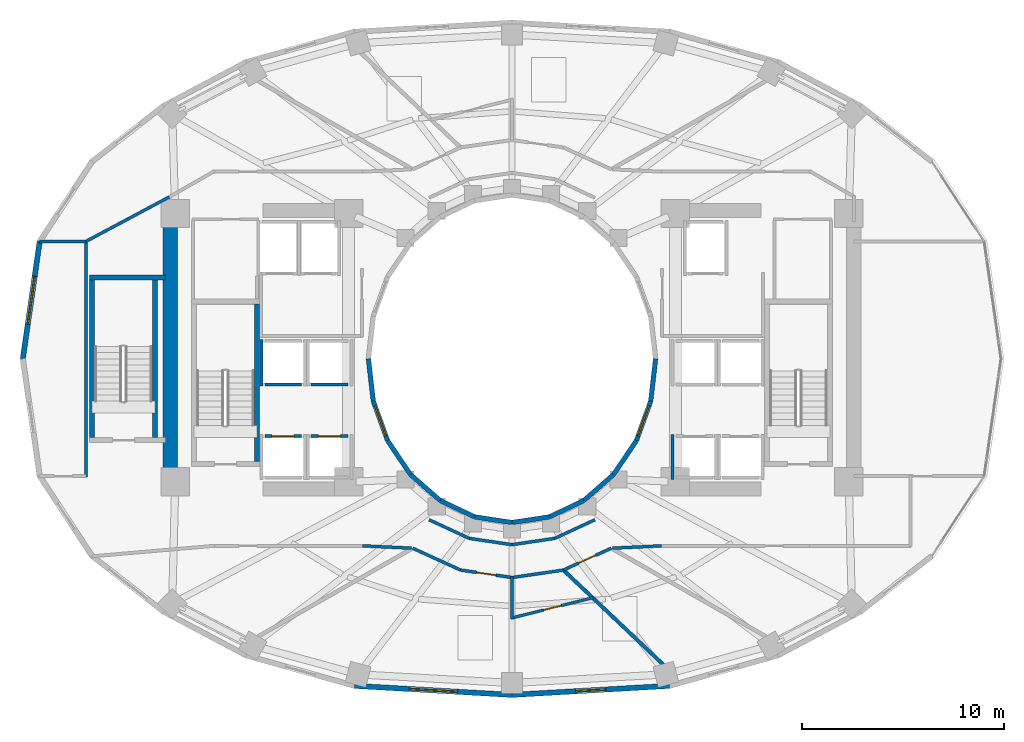
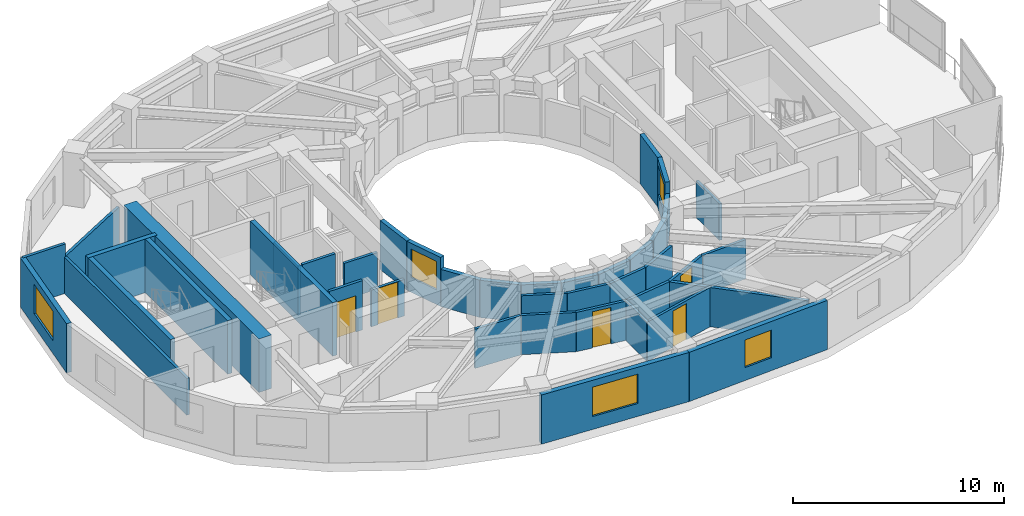
# One storey, part 7 of 13: 42 walls, 5 doors, 5 windows, 10 openings.
"""IFC4 building model written with IfcOpenShell, lengths in metres."""

from ifc_helpers import new_model, si_unit, direction, frame, frame_2d, origin, place, context, subcontext, project, spatial, rectangle, extrude, material, layer, layer_set, type_object, element, fill, save


model = new_model("IFC4")

# Units and contexts
model_context = context("Model", 3, precision=1e-05, world=origin(), true_north=direction((0.0, 1.0)))
body_context = subcontext(model_context, "Body", "Model", "MODEL_VIEW")
ifc_project = project(units=[si_unit("LENGTHUNIT", "METRE"), si_unit("AREAUNIT", "SQUARE_METRE"), si_unit("VOLUMEUNIT", "CUBIC_METRE"), si_unit("PLANEANGLEUNIT", "RADIAN"), si_unit("MASSUNIT", "GRAM", prefix="KILO")], contexts=[model_context])

# Site, building, storey
site_placement = place(None, origin())
site = spatial("IfcSite", under=ifc_project, at=site_placement, CompositionType="ELEMENT")
building_placement = place(site_placement, origin())
building = spatial("IfcBuilding", under=site, at=building_placement, Name="Solvane Sanctuary Tower", CompositionType="ELEMENT")
storey_placement = place(building_placement, frame((0.0, 0.0, 85.60009765625)))
storey = spatial("IfcBuildingStorey", under=building, at=storey_placement, Name="L25", CompositionType="ELEMENT", Elevation=85.60009765625)

# Walls
ifc_material_1 = material(Name="Concrete C60/75", Category="concrete")
ifc_layer_1 = layer(ifc_material_1, 0.699951171875, Name="Concrete C60/75")
ifc_layer_set_1 = layer_set([ifc_layer_1], Name="Concrete C60/75")
wall_type_1 = type_object("IfcWallType", Name="Wall W-CORE-700", PredefinedType="SHEAR", material=ifc_layer_set_1)
wall_1_placement = place(storey_placement, frame((15.050048828125, 17.050048828125, 0.0), z_axis=(0.0, 0.0, 1.0), x_axis=(0.0, 1.0, 0.0)))
element("IfcWall", 1, at=wall_1_placement, inside=storey, type_object=wall_type_1, Name="L25 Core Shear Wall WC-W", PredefinedType="SHEAR", context=body_context, shape_type="SweptSolid", body=[
    extrude(rectangle(XDim=12.800048828125, YDim=0.699951171875, at=frame_2d((6.39990234375, 0.0))), origin(), (0.0, 0.0, 1.0), 3.099853515625),
])
ifc_material_2 = material(Name="Acoustic Gypsum Partition Board")
ifc_layer_2 = layer(ifc_material_2, 0.14990234375, Name="Acoustic Gypsum Partition Board")
ifc_layer_set_2 = layer_set([ifc_layer_2], Name="Acoustic Gypsum Partition Board")
wall_type_2 = type_object("IfcWallType", Name="Wall W-CORR-150", PredefinedType="PARTITIONING", material=ifc_layer_set_2)
wall_2_placement = place(storey_placement, frame((27.889892578125, 15.01513671875, 0.0), z_axis=(0.0, 0.0, 1.0), x_axis=(0.906943449489, -0.421252393975, 0.0)))
element("IfcWall", 2, at=wall_2_placement, inside=storey, type_object=wall_type_2, Name="L25 Light-Well Corridor Rim Wall S1", PredefinedType="PARTITIONING", context=body_context, shape_type="SweptSolid", body=[
    extrude(rectangle(XDim=2.18603515625, YDim=0.14990234375, at=frame_2d((1.093017578125, 0.0))), origin(), (0.0, 0.0, 1.0), 2.27197265625),
])
for number, where, z_axis, x_axis, name in (
    (3, (29.87255859375, 14.09423828125, 0.0), (0.0, 0.0, 1.0), (0.989268584896, -0.146108408166, 0.0), "L25 Light-Well Corridor Rim Wall S2"),
    (4, (32.0, 13.780029296875, 0.0), (0.0, 0.0, 1.0), (0.989268584896, 0.146108408166, 0.0), "L25 Light-Well Corridor Rim Wall S3"),
):
    element("IfcWall", number, at=place(storey_placement, frame(where, z_axis=z_axis, x_axis=x_axis)), inside=storey, type_object=wall_type_2, Name=name, PredefinedType="PARTITIONING", context=body_context, shape_type="SweptSolid", body=[
        extrude(rectangle(XDim=2.150634765625, YDim=0.14990234375, at=frame_2d((1.0751953125, 0.0))), origin(), (0.0, 0.0, 1.0), 2.27197265625),
    ])
wall_3_placement = place(storey_placement, frame((34.12744140625, 14.09423828125, 0.0), z_axis=(0.0, 0.0, 1.0), x_axis=(0.906943449489, 0.421252393975, 0.0)))
element("IfcWall", 5, at=wall_3_placement, inside=storey, type_object=wall_type_2, Name="L25 Light-Well Corridor Rim Wall S4", PredefinedType="PARTITIONING", context=body_context, shape_type="SweptSolid", body=[
    extrude(rectangle(XDim=2.18603515625, YDim=0.14990234375, at=frame_2d((1.093017578125, 0.0))), origin(), (0.0, 0.0, 1.0), 2.27197265625),
])
wall_4_placement = place(storey_placement, frame((10.8798828125, 17.134765625, 0.0), z_axis=(0.0, 0.0, 1.0), x_axis=(0.0, 1.0, 0.0)))
element("IfcWall", 6, at=wall_4_placement, inside=storey, type_object=wall_type_2, Name="L25 West Shoulder Back Wall", PredefinedType="PARTITIONING", context=body_context, shape_type="SweptSolid", body=[
    extrude(rectangle(XDim=11.73046875, YDim=0.14990234375, at=frame_2d((5.865234375, 0.0))), origin(), (0.0, 0.0, 1.0), 2.119873046875),
])
wall_5_placement = place(storey_placement, frame((8.558349609375, 28.8251953125, 0.0), z_axis=(0.0, 0.0, 1.0), x_axis=(1.0, 0.0, 0.0)))
element("IfcWall", 7, at=wall_5_placement, inside=storey, type_object=wall_type_2, Name="L25 West Shoulder North Wall", PredefinedType="PARTITIONING", context=body_context, shape_type="SweptSolid", body=[
    extrude(rectangle(XDim=2.321533203125, YDim=0.14990234375, at=frame_2d((1.16064453125, 0.0))), origin(), (0.0, 0.0, 1.0), 2.85498046875),
])
wall_6_placement = place(storey_placement, frame((10.8447265625, 28.806396484375, 0.0), z_axis=(0.0, 0.0, 1.0), x_axis=(0.88227840565, 0.470727962759, 0.0)))
element("IfcWall", 8, at=wall_6_placement, inside=storey, type_object=wall_type_2, Name="L25 NW Corner Closer 1", PredefinedType="PARTITIONING", context=body_context, shape_type="SweptSolid", body=[
    extrude(rectangle(XDim=4.806396484375, YDim=0.14990234375, at=frame_2d((2.4033203125, 0.0))), origin(), (0.0, 0.0, 1.0), 2.141845703125),
])
for number, where, z_axis, x_axis, name in (
    (9, (27.02001953125, 13.606201171875, 0.0), (0.0, 0.0, 1.0), (-0.998877427952, 0.047369651964, 0.0), "L25 SW Corner Throat Wall"),
    (10, (36.97998046875, 13.606201171875, 0.0), (0.0, 0.0, 1.0), (0.998877427952, 0.047369651964, 0.0), "L25 SE Corner Throat Wall"),
):
    element("IfcWall", number, at=place(storey_placement, frame(where, z_axis=z_axis, x_axis=x_axis)), inside=storey, type_object=wall_type_2, Name=name, PredefinedType="PARTITIONING", context=body_context, shape_type="SweptSolid", body=[
        extrude(rectangle(XDim=2.4326171875, YDim=0.14990234375, at=frame_2d((1.21630859375, 0.0))), origin(), (0.0, 0.0, 1.0), 2.27197265625),
    ])
wall_7_placement = place(storey_placement, frame((31.950439453125, 12.142822265625, 0.0), z_axis=(0.0, 0.0, 1.0), x_axis=(0.989649898776, 0.143502884474, 0.0)))
element("IfcWall", 11, at=wall_7_placement, inside=storey, type_object=wall_type_2, Name="L25 En-suite Inner Wall S1", PredefinedType="PARTITIONING", context=body_context, shape_type="SweptSolid", body=[
    extrude(rectangle(XDim=2.676025390625, YDim=0.14990234375, at=frame_2d((1.337890625, 0.0))), origin(), (0.0, 0.0, 1.0), 2.27197265625),
])
wall_8_placement = place(storey_placement, frame((27.069091796875, 13.607421875, 0.0), z_axis=(0.0, 0.0, 1.0), x_axis=(0.909747571199, -0.415161843982, 0.0)))
element("IfcWall", 12, at=wall_8_placement, inside=storey, type_object=wall_type_2, Name="L25 Unit Corridor Wall S1", PredefinedType="PARTITIONING", context=body_context, shape_type="SweptSolid", body=[
    extrude(rectangle(XDim=2.625, YDim=0.14990234375, at=frame_2d((1.3125, 0.0))), origin(), (0.0, 0.0, 1.0), 2.27197265625),
])

# Wall, opening, door
wall_9_placement = place(storey_placement, frame((29.444091796875, 12.521728515625, 0.0), z_axis=(0.0, 0.0, 1.0), x_axis=(0.989637894688, -0.143585644814, 0.0)))
wall_9 = element("IfcWall", 13, at=wall_9_placement, inside=storey, type_object=wall_type_2, Name="L25 Unit Corridor Wall S1", PredefinedType="PARTITIONING", context=body_context, shape_type="SweptSolid", body=[
    extrude(rectangle(XDim=2.589599609375, YDim=0.14990234375, at=frame_2d((1.294921875, 0.0))), origin(), (0.0, 0.0, 1.0), 2.27197265625),
])
opening_1_placement = place(wall_9_placement, frame((0.81982421875, 0.0, 0.0)))
opening_1 = element("IfcOpeningElement", 14, at=opening_1_placement, cuts=wall_9, Name="Opening D-L25-18", PredefinedType="OPENING", context=body_context, shape_type="SweptSolid", body=[
    extrude(rectangle(XDim=0.949951171875, YDim=2.10009765625, at=frame_2d((0.47509765625, 1.050048828125))), frame((0.0, 0.0849609375, 0.0), z_axis=(0.0, -1.0, 0.0), x_axis=(1.0, 0.0, 0.0)), (0.0, 0.0, 1.0), 0.169921875),
])
ifc_material_3 = material(Name="Engineered Tropical Hardwood", Category="wood")
door_type_1 = type_object("IfcDoorType", Name="Door D-ROOM-950", OperationType="NOTDEFINED", PredefinedType="DOOR", material=ifc_material_3)
door_1_placement = place(opening_1_placement, origin())
door_1 = element("IfcDoor", 15, at=door_1_placement, inside=storey, type_object=door_type_1, Name="L25 Unit Entrance Door S1", OperationType="SINGLE_SWING_LEFT", OverallHeight=2.10009765625, OverallWidth=0.949951171875, PredefinedType="DOOR", context=body_context, shape_type="SweptSolid", body=[
    extrude(rectangle(XDim=0.949951171875, YDim=2.10009765625, at=frame_2d((0.47509765625, 1.050048828125))), frame((0.0, 0.02490234375, 0.0), z_axis=(0.0, -1.0, 0.0), x_axis=(1.0, 0.0, 0.0)), (0.0, 0.0, 1.0), 0.050048828125),
])
fill(opening_1, door_1)

wall_10_placement = place(storey_placement, frame((34.542724609375, 12.517578125, 0.0), z_axis=(0.0, 0.0, 1.0), x_axis=(0.909747571199, 0.415161843982, 0.0)))
wall_10 = element("IfcWall", 16, at=wall_10_placement, inside=storey, type_object=wall_type_2, Name="L25 Unit Corridor Wall S2", PredefinedType="PARTITIONING", context=body_context, shape_type="SweptSolid", body=[
    extrude(rectangle(XDim=2.625, YDim=0.14990234375, at=frame_2d((1.3125, 0.0))), origin(), (0.0, 0.0, 1.0), 2.27197265625),
])
opening_2_placement = place(wall_10_placement, frame((0.837646484375, 0.0, 0.0)))
opening_2 = element("IfcOpeningElement", 17, at=opening_2_placement, cuts=wall_10, Name="Opening D-L25-19", PredefinedType="OPENING", context=body_context, shape_type="SweptSolid", body=[
    extrude(rectangle(XDim=0.949951171875, YDim=2.10009765625, at=frame_2d((0.47509765625, 1.050048828125))), frame((0.0, 0.0849609375, 0.0), z_axis=(0.0, -1.0, 0.0), x_axis=(1.0, 0.0, 0.0)), (0.0, 0.0, 1.0), 0.169921875),
])
door_2_placement = place(opening_2_placement, origin())
door_2 = element("IfcDoor", 18, at=door_2_placement, inside=storey, type_object=door_type_1, Name="L25 Unit Entrance Door S2", OperationType="SINGLE_SWING_RIGHT", OverallHeight=2.10009765625, OverallWidth=0.949951171875, PredefinedType="DOOR", context=body_context, shape_type="SweptSolid", body=[
    extrude(rectangle(XDim=0.949951171875, YDim=2.10009765625, at=frame_2d((0.47509765625, 1.050048828125))), frame((0.0, 0.02490234375, 0.0), z_axis=(0.0, -1.0, 0.0), x_axis=(1.0, 0.0, 0.0)), (0.0, 0.0, 1.0), 0.050048828125),
])
fill(opening_2, door_2)

# Wall, opening, window
ifc_material_4 = material(Name="Precast concrete C40/50", Category="concrete")
ifc_layer_3 = layer(ifc_material_4, 0.260009765625, Name="Precast concrete C40/50")
ifc_layer_set_3 = layer_set([ifc_layer_3], Name="Precast concrete C40/50")
wall_type_3 = type_object("IfcWallType", Name="Wall W-EXT-250", PredefinedType="STANDARD", material=ifc_layer_set_3)
wall_11_placement = place(storey_placement, frame((8.578125, 28.818603515625, 0.0), z_axis=(0.0, 0.0, 1.0), x_axis=(-0.142572472068, -0.98978436551, 0.0)))
wall_11 = element("IfcWall", 19, at=wall_11_placement, inside=storey, type_object=wall_type_3, Name="L25 Ceramic-Printed Facade Wall 11", PredefinedType="STANDARD", context=body_context, shape_type="SweptSolid", body=[
    extrude(rectangle(XDim=5.878662109375, YDim=0.260009765625, at=frame_2d((2.939453125, 0.0))), origin(), (0.0, 0.0, 1.0), 2.849853515625),
])
opening_3_placement = place(wall_11_placement, frame((1.739501953125, 0.0, 0.75)))
opening_3 = element("IfcOpeningElement", 20, at=opening_3_placement, cuts=wall_11, Name="Opening WN-RIB-2400", PredefinedType="OPENING", context=body_context, shape_type="SweptSolid", body=[
    extrude(rectangle(XDim=2.39990234375, YDim=1.699951171875, at=frame_2d((1.199951171875, 0.85009765625))), frame((0.0, 0.139892578125, 0.0), z_axis=(0.0, -1.0, 0.0), x_axis=(1.0, 0.0, 0.0)), (0.0, 0.0, 1.0), 0.280029296875),
])
ifc_material_5 = material(Name="Dark Ceramic-Fritted Low-E Glass", Category="glass")
window_type_1 = type_object("IfcWindowType", Name="Window WN-RIB-2400", PartitioningType="SINGLE_PANEL", PredefinedType="WINDOW", material=ifc_material_5)
window_1_placement = place(opening_3_placement, origin())
window_1 = element("IfcWindow", 21, at=window_1_placement, inside=storey, type_object=window_type_1, Name="L25 Operable Facade Window 11", OverallHeight=1.699951171875, OverallWidth=2.39990234375, PartitioningType="SINGLE_PANEL", PredefinedType="WINDOW", context=body_context, shape_type="SweptSolid", body=[
    extrude(rectangle(XDim=2.39990234375, YDim=1.699951171875, at=frame_2d((1.199951171875, 0.85009765625))), frame((0.0, 0.030029296875, 0.0), z_axis=(0.0, -1.0, 0.0), x_axis=(1.0, 0.0, 0.0)), (0.0, 0.0, 1.0), 0.06005859375),
])
fill(opening_3, window_1)

wall_12_placement = place(storey_placement, frame((24.18359375, 6.7783203125, 0.0), z_axis=(0.0, 0.0, 1.0), x_axis=(0.998352606703, -0.057376586592, 0.0)))
wall_12 = element("IfcWall", 22, at=wall_12_placement, inside=storey, type_object=wall_type_3, Name="L25 Ceramic-Printed Facade Wall 17", PredefinedType="STANDARD", context=body_context, shape_type="SweptSolid", body=[
    extrude(rectangle(XDim=7.829345703125, YDim=0.260009765625, at=frame_2d((3.91455078125, 0.0))), origin(), (0.0, 0.0, 1.0), 2.849853515625),
])
opening_4_placement = place(wall_12_placement, frame((2.714599609375, 0.0, 0.75)))
opening_4 = element("IfcOpeningElement", 23, at=opening_4_placement, cuts=wall_12, Name="Opening WN-RIB-2400", PredefinedType="OPENING", context=body_context, shape_type="SweptSolid", body=[
    extrude(rectangle(XDim=2.39990234375, YDim=1.699951171875, at=frame_2d((1.199951171875, 0.85009765625))), frame((0.0, 0.139892578125, 0.0), z_axis=(0.0, -1.0, 0.0), x_axis=(1.0, 0.0, 0.0)), (0.0, 0.0, 1.0), 0.280029296875),
])
window_2_placement = place(opening_4_placement, origin())
window_2 = element("IfcWindow", 24, at=window_2_placement, inside=storey, type_object=window_type_1, Name="L25 Operable Facade Window 17", OverallHeight=1.699951171875, OverallWidth=2.39990234375, PartitioningType="SINGLE_PANEL", PredefinedType="WINDOW", context=body_context, shape_type="SweptSolid", body=[
    extrude(rectangle(XDim=2.39990234375, YDim=1.699951171875, at=frame_2d((1.199951171875, 0.85009765625))), frame((0.0, 0.030029296875, 0.0), z_axis=(0.0, -1.0, 0.0), x_axis=(1.0, 0.0, 0.0)), (0.0, 0.0, 1.0), 0.06005859375),
])
fill(opening_4, window_2)

wall_13_placement = place(storey_placement, frame((32.0, 6.3291015625, 0.0), z_axis=(0.0, 0.0, 1.0), x_axis=(0.998352606703, 0.057376586592, 0.0)))
wall_13 = element("IfcWall", 25, at=wall_13_placement, inside=storey, type_object=wall_type_3, Name="L25 Ceramic-Printed Facade Wall 18", PredefinedType="STANDARD", context=body_context, shape_type="SweptSolid", body=[
    extrude(rectangle(XDim=7.829345703125, YDim=0.260009765625, at=frame_2d((3.91455078125, 0.0))), origin(), (0.0, 0.0, 1.0), 2.849853515625),
])
opening_5_placement = place(wall_13_placement, frame((3.16455078125, 0.0, 0.75)))
opening_5 = element("IfcOpeningElement", 26, at=opening_5_placement, cuts=wall_13, Name="Opening WN-OPER-1500", PredefinedType="OPENING", context=body_context, shape_type="SweptSolid", body=[
    extrude(rectangle(XDim=1.5, YDim=1.60009765625, at=frame_2d((0.75, 0.800048828125))), frame((0.0, 0.139892578125, 0.0), z_axis=(0.0, -1.0, 0.0), x_axis=(1.0, 0.0, 0.0)), (0.0, 0.0, 1.0), 0.280029296875),
])
window_type_2 = type_object("IfcWindowType", Name="Window WN-OPER-1500", PartitioningType="SINGLE_PANEL", PredefinedType="WINDOW", material=ifc_material_5)
window_3_placement = place(opening_5_placement, origin())
window_3 = element("IfcWindow", 27, at=window_3_placement, inside=storey, type_object=window_type_2, Name="L25 Operable Facade Window 18", OverallHeight=1.60009765625, OverallWidth=1.5, PartitioningType="SINGLE_PANEL", PredefinedType="WINDOW", context=body_context, shape_type="SweptSolid", body=[
    extrude(rectangle(XDim=1.5, YDim=1.60009765625, at=frame_2d((0.75, 0.800048828125))), frame((0.0, 0.030029296875, 0.0), z_axis=(0.0, -1.0, 0.0), x_axis=(1.0, 0.0, 0.0)), (0.0, 0.0, 1.0), 0.06005859375),
])
fill(opening_5, window_3)

# Wall
ifc_layer_4 = layer(ifc_material_4, 0.22998046875, Name="Precast concrete C40/50")
ifc_layer_set_4 = layer_set([ifc_layer_4], Name="Precast concrete C40/50")
wall_type_4 = type_object("IfcWallType", Name="Wall W-EXT-SP220", PredefinedType="STANDARD", material=ifc_layer_set_4)
wall_14_placement = place(storey_placement, frame((24.8798828125, 23.0, 0.0), z_axis=(0.0, 0.0, 1.0), x_axis=(0.114711713601, -0.993398823617, 0.0)))
element("IfcWall", 28, at=wall_14_placement, inside=storey, type_object=wall_type_4, Name="L25 Central Light-Well Wall 12", PredefinedType="STANDARD", context=body_context, shape_type="SweptSolid", body=[
    extrude(rectangle(XDim=2.115478515625, YDim=0.22998046875, at=frame_2d((1.0576171875, 0.0))), origin(), (0.0, 0.0, 1.0), 2.83984375),
])

# Wall, opening, window
wall_15_placement = place(storey_placement, frame((25.12255859375, 20.8984375, 0.0), z_axis=(0.0, 0.0, 1.0), x_axis=(0.341423187295, -0.93990968033, 0.0)))
wall_15 = element("IfcWall", 29, at=wall_15_placement, inside=storey, type_object=wall_type_4, Name="L25 Central Light-Well Wall 13", PredefinedType="STANDARD", context=body_context, shape_type="SweptSolid", body=[
    extrude(rectangle(XDim=2.083740234375, YDim=0.22998046875, at=frame_2d((1.0419921875, 0.0))), origin(), (0.0, 0.0, 1.0), 2.83984375),
])
opening_6_placement = place(wall_15_placement, frame((0.24169921875, 0.0, 0.85009765625)))
opening_6 = element("IfcOpeningElement", 30, at=opening_6_placement, cuts=wall_15, Name="Opening WN-WELL-1600", PredefinedType="OPENING", context=body_context, shape_type="SweptSolid", body=[
    extrude(rectangle(XDim=1.60009765625, YDim=1.64990234375, at=frame_2d((0.800048828125, 0.824951171875))), frame((0.0, 0.125, 0.0), z_axis=(0.0, -1.0, 0.0), x_axis=(1.0, 0.0, 0.0)), (0.0, 0.0, 1.0), 0.25),
])
ifc_material_6 = material(Name="Clear Laminated Light-Well Glass", Category="glass")
window_type_3 = type_object("IfcWindowType", Name="Window WN-WELL-1600", PartitioningType="SINGLE_PANEL", PredefinedType="WINDOW", material=ifc_material_6)
window_4_placement = place(opening_6_placement, origin())
window_4 = element("IfcWindow", 31, at=window_4_placement, inside=storey, type_object=window_type_3, Name="L25 Light-Well Daylight Window 13", OverallHeight=1.64990234375, OverallWidth=1.60009765625, PartitioningType="SINGLE_PANEL", PredefinedType="WINDOW", context=body_context, shape_type="SweptSolid", body=[
    extrude(rectangle(XDim=1.60009765625, YDim=1.64990234375, at=frame_2d((0.800048828125, 0.824951171875))), frame((0.0, 0.030029296875, 0.0), z_axis=(0.0, -1.0, 0.0), x_axis=(1.0, 0.0, 0.0)), (0.0, 0.0, 1.0), 0.06005859375),
])
fill(opening_6, window_4)

# Walls
wall_16_placement = place(storey_placement, frame((25.833984375, 18.93994140625, 0.0), z_axis=(0.0, 0.0, 1.0), x_axis=(0.558197800898, -0.829707909492, 0.0)))
element("IfcWall", 32, at=wall_16_placement, inside=storey, type_object=wall_type_4, Name="L25 Central Light-Well Wall 14", PredefinedType="STANDARD", context=body_context, shape_type="SweptSolid", body=[
    extrude(rectangle(XDim=2.02685546875, YDim=0.22998046875, at=frame_2d((1.013427734375, 0.0))), origin(), (0.0, 0.0, 1.0), 2.159912109375),
])
wall_17_placement = place(storey_placement, frame((26.96533203125, 17.25830078125, 0.0), z_axis=(0.0, 0.0, 1.0), x_axis=(0.752576694707, -0.658504607869, 0.0)))
element("IfcWall", 33, at=wall_17_placement, inside=storey, type_object=wall_type_4, Name="L25 Central Light-Well Wall 15", PredefinedType="STANDARD", context=body_context, shape_type="SweptSolid", body=[
    extrude(rectangle(XDim=1.95947265625, YDim=0.22998046875, at=frame_2d((0.979736328125, 0.0))), origin(), (0.0, 0.0, 1.0), 2.159912109375),
])
wall_18_placement = place(storey_placement, frame((28.43994140625, 15.968017578125, 0.0), z_axis=(0.0, 0.0, 1.0), x_axis=(0.904179699603, -0.427152280606, 0.0)))
element("IfcWall", 34, at=wall_18_placement, inside=storey, type_object=wall_type_4, Name="L25 Central Light-Well Wall 16", PredefinedType="STANDARD", context=body_context, shape_type="SweptSolid", body=[
    extrude(rectangle(XDim=1.899169921875, YDim=0.22998046875, at=frame_2d((0.94970703125, 0.0))), origin(), (0.0, 0.0, 1.0), 2.159912109375),
])
for number, where, z_axis, x_axis, name in (
    (35, (30.1572265625, 15.15673828125, 0.0), (0.0, 0.0, 1.0), (0.988901730308, -0.148571086668, 0.0), "L25 Central Light-Well Wall 17"),
    (36, (32.0, 14.8798828125, 0.0), (0.0, 0.0, 1.0), (0.988901730308, 0.148571086668, 0.0), "L25 Central Light-Well Wall 18"),
):
    element("IfcWall", number, at=place(storey_placement, frame(where, z_axis=z_axis, x_axis=x_axis)), inside=storey, type_object=wall_type_4, Name=name, PredefinedType="STANDARD", context=body_context, shape_type="SweptSolid", body=[
        extrude(rectangle(XDim=1.863525390625, YDim=0.22998046875, at=frame_2d((0.931640625, 0.0))), origin(), (0.0, 0.0, 1.0), 2.159912109375),
    ])
wall_19_placement = place(storey_placement, frame((33.8427734375, 15.15673828125, 0.0), z_axis=(0.0, 0.0, 1.0), x_axis=(0.904179699603, 0.427152280606, 0.0)))
element("IfcWall", 37, at=wall_19_placement, inside=storey, type_object=wall_type_4, Name="L25 Central Light-Well Wall 19", PredefinedType="STANDARD", context=body_context, shape_type="SweptSolid", body=[
    extrude(rectangle(XDim=1.899169921875, YDim=0.22998046875, at=frame_2d((0.94970703125, 0.0))), origin(), (0.0, 0.0, 1.0), 2.159912109375),
])
wall_20_placement = place(storey_placement, frame((35.56005859375, 15.968017578125, 0.0), z_axis=(0.0, 0.0, 1.0), x_axis=(0.752576694707, 0.658504607869, 0.0)))
element("IfcWall", 38, at=wall_20_placement, inside=storey, type_object=wall_type_4, Name="L25 Central Light-Well Wall 20", PredefinedType="STANDARD", context=body_context, shape_type="SweptSolid", body=[
    extrude(rectangle(XDim=1.95947265625, YDim=0.22998046875, at=frame_2d((0.979736328125, 0.0))), origin(), (0.0, 0.0, 1.0), 2.159912109375),
])
wall_21_placement = place(storey_placement, frame((37.03466796875, 17.25830078125, 0.0), z_axis=(0.0, 0.0, 1.0), x_axis=(0.558197800898, 0.829707909492, 0.0)))
element("IfcWall", 39, at=wall_21_placement, inside=storey, type_object=wall_type_4, Name="L25 Central Light-Well Wall 21", PredefinedType="STANDARD", context=body_context, shape_type="SweptSolid", body=[
    extrude(rectangle(XDim=2.02685546875, YDim=0.22998046875, at=frame_2d((1.013427734375, 0.0))), origin(), (0.0, 0.0, 1.0), 2.159912109375),
])

# Wall, opening, window
wall_22_placement = place(storey_placement, frame((38.166015625, 18.93994140625, 0.0), z_axis=(0.0, 0.0, 1.0), x_axis=(0.341423187295, 0.93990968033, 0.0)))
wall_22 = element("IfcWall", 40, at=wall_22_placement, inside=storey, type_object=wall_type_4, Name="L25 Central Light-Well Wall 22", PredefinedType="STANDARD", context=body_context, shape_type="SweptSolid", body=[
    extrude(rectangle(XDim=2.083740234375, YDim=0.22998046875, at=frame_2d((1.0419921875, 0.0))), origin(), (0.0, 0.0, 1.0), 2.83984375),
])
opening_7_placement = place(wall_22_placement, frame((0.24169921875, 0.0, 0.85009765625)))
opening_7 = element("IfcOpeningElement", 41, at=opening_7_placement, cuts=wall_22, Name="Opening WN-WELL-1600", PredefinedType="OPENING", context=body_context, shape_type="SweptSolid", body=[
    extrude(rectangle(XDim=1.60009765625, YDim=1.64990234375, at=frame_2d((0.800048828125, 0.824951171875))), frame((0.0, 0.125, 0.0), z_axis=(0.0, -1.0, 0.0), x_axis=(1.0, 0.0, 0.0)), (0.0, 0.0, 1.0), 0.25),
])
window_5_placement = place(opening_7_placement, origin())
window_5 = element("IfcWindow", 42, at=window_5_placement, inside=storey, type_object=window_type_3, Name="L25 Light-Well Daylight Window 22", OverallHeight=1.64990234375, OverallWidth=1.60009765625, PartitioningType="SINGLE_PANEL", PredefinedType="WINDOW", context=body_context, shape_type="SweptSolid", body=[
    extrude(rectangle(XDim=1.60009765625, YDim=1.64990234375, at=frame_2d((0.800048828125, 0.824951171875))), frame((0.0, 0.030029296875, 0.0), z_axis=(0.0, -1.0, 0.0), x_axis=(1.0, 0.0, 0.0)), (0.0, 0.0, 1.0), 0.06005859375),
])
fill(opening_7, window_5)

# Wall
wall_23_placement = place(storey_placement, frame((38.87744140625, 20.8984375, 0.0), z_axis=(0.0, 0.0, 1.0), x_axis=(0.114711713601, 0.993398823617, 0.0)))
element("IfcWall", 43, at=wall_23_placement, inside=storey, type_object=wall_type_4, Name="L25 Central Light-Well Wall 23", PredefinedType="STANDARD", context=body_context, shape_type="SweptSolid", body=[
    extrude(rectangle(XDim=2.115478515625, YDim=0.22998046875, at=frame_2d((1.0576171875, 0.0))), origin(), (0.0, 0.0, 1.0), 2.83984375),
])

# Wall, opening, door
ifc_material_7 = material(Name="Concrete C50/60", Category="concrete")
ifc_layer_5 = layer(ifc_material_7, 0.14990234375, Name="Concrete C50/60")
ifc_layer_set_5 = layer_set([ifc_layer_5], Name="Concrete C50/60")
wall_type_5 = type_object("IfcWallType", Name="Wall W-SHAFT-150", PredefinedType="SOLIDWALL", material=ifc_layer_set_5)
wall_24_placement = place(storey_placement, frame((19.739990234375, 19.159912109375, 0.0), z_axis=(0.0, 0.0, 1.0), x_axis=(1.0, 0.0, 0.0)))
wall_24 = element("IfcWall", 44, at=wall_24_placement, inside=storey, type_object=wall_type_5, Name="L25 PL-1 Lift Shaft Wall F", PredefinedType="SOLIDWALL", context=body_context, shape_type="SweptSolid", body=[
    extrude(rectangle(XDim=1.820068359375, YDim=0.14990234375, at=frame_2d((0.91015625, 0.0))), origin(), (0.0, 0.0, 1.0), 2.85498046875),
])
opening_8_placement = place(wall_24_placement, frame((0.360107421875, 0.0, 0.0)))
opening_8 = element("IfcOpeningElement", 45, at=opening_8_placement, cuts=wall_24, Name="Opening LD-L25-01", PredefinedType="OPENING", context=body_context, shape_type="SweptSolid", body=[
    extrude(rectangle(XDim=1.10009765625, YDim=2.10009765625, at=frame_2d((0.550048828125, 1.050048828125))), frame((0.0, 0.0849609375, 0.0), z_axis=(0.0, -1.0, 0.0), x_axis=(1.0, 0.0, 0.0)), (0.0, 0.0, 1.0), 0.169921875),
])
ifc_material_8 = material(Name="Architectural Stainless Steel 316", Category="steel")
door_type_2 = type_object("IfcDoorType", Name="Door LD-PASS-1100", OperationType="NOTDEFINED", PredefinedType="DOOR", material=ifc_material_8)
door_3_placement = place(opening_8_placement, origin())
door_3 = element("IfcDoor", 46, at=door_3_placement, inside=storey, type_object=door_type_2, Name="L25 PL-1 Lift Landing Door", OperationType="DOUBLE_DOOR_SLIDING", OverallHeight=2.10009765625, OverallWidth=1.10009765625, PredefinedType="DOOR", context=body_context, shape_type="SweptSolid", body=[
    extrude(rectangle(XDim=1.10009765625, YDim=2.10009765625, at=frame_2d((0.550048828125, 1.050048828125))), frame((0.0, 0.02490234375, 0.0), z_axis=(0.0, -1.0, 0.0), x_axis=(1.0, 0.0, 0.0)), (0.0, 0.0, 1.0), 0.050048828125),
])
fill(opening_8, door_3)

wall_25_placement = place(storey_placement, frame((22.0400390625, 19.159912109375, 0.0), z_axis=(0.0, 0.0, 1.0), x_axis=(1.0, 0.0, 0.0)))
wall_25 = element("IfcWall", 47, at=wall_25_placement, inside=storey, type_object=wall_type_5, Name="L25 PL-2 Lift Shaft Wall F", PredefinedType="SOLIDWALL", context=body_context, shape_type="SweptSolid", body=[
    extrude(rectangle(XDim=1.820068359375, YDim=0.14990234375, at=frame_2d((0.91015625, 0.0))), origin(), (0.0, 0.0, 1.0), 2.119873046875),
])
opening_9_placement = place(wall_25_placement, frame((0.360107421875, 0.0, 0.0)))
opening_9 = element("IfcOpeningElement", 48, at=opening_9_placement, cuts=wall_25, Name="Opening LD-L25-02", PredefinedType="OPENING", context=body_context, shape_type="SweptSolid", body=[
    extrude(rectangle(XDim=1.10009765625, YDim=2.10009765625, at=frame_2d((0.550048828125, 1.050048828125))), frame((0.0, 0.0849609375, 0.0), z_axis=(0.0, -1.0, 0.0), x_axis=(1.0, 0.0, 0.0)), (0.0, 0.0, 1.0), 0.169921875),
])
door_4_placement = place(opening_9_placement, origin())
door_4 = element("IfcDoor", 49, at=door_4_placement, inside=storey, type_object=door_type_2, Name="L25 PL-2 Lift Landing Door", OperationType="DOUBLE_DOOR_SLIDING", OverallHeight=2.10009765625, OverallWidth=1.10009765625, PredefinedType="DOOR", context=body_context, shape_type="SweptSolid", body=[
    extrude(rectangle(XDim=1.10009765625, YDim=2.10009765625, at=frame_2d((0.550048828125, 1.050048828125))), frame((0.0, 0.02490234375, 0.0), z_axis=(0.0, -1.0, 0.0), x_axis=(1.0, 0.0, 0.0)), (0.0, 0.0, 1.0), 0.050048828125),
])
fill(opening_9, door_4)

# Walls
wall_26_placement = place(storey_placement, frame((39.969970703125, 17.02001953125, 0.0), z_axis=(0.0, 0.0, 1.0), x_axis=(0.0, 1.0, 0.0)))
element("IfcWall", 50, at=wall_26_placement, inside=storey, type_object=wall_type_5, Name="L25 PL-3 Lift Shaft Wall S1", PredefinedType="SOLIDWALL", context=body_context, shape_type="SweptSolid", body=[
    extrude(rectangle(XDim=2.219970703125, YDim=0.14990234375, at=frame_2d((1.10986328125, 0.0))), origin(), (0.0, 0.0, 1.0), 2.119873046875),
])
wall_27_placement = place(storey_placement, frame((19.739990234375, 21.719970703125, 0.0), z_axis=(0.0, 0.0, 1.0), x_axis=(1.0, 0.0, 0.0)))
element("IfcWall", 51, at=wall_27_placement, inside=storey, type_object=wall_type_5, Name="L25 PM-1 Lift Shaft Wall F", PredefinedType="SOLIDWALL", context=body_context, shape_type="SweptSolid", body=[
    extrude(rectangle(XDim=1.820068359375, YDim=0.14990234375, at=frame_2d((0.91015625, 0.0))), origin(), (0.0, 0.0, 1.0), 2.85498046875),
])
wall_28_placement = place(storey_placement, frame((19.570068359375, 21.639892578125, 0.0), z_axis=(0.0, 0.0, 1.0), x_axis=(0.0, 1.0, 0.0)))
element("IfcWall", 52, at=wall_28_placement, inside=storey, type_object=wall_type_5, Name="L25 PM-1 Lift Shaft Wall S1", PredefinedType="SOLIDWALL", context=body_context, shape_type="SweptSolid", body=[
    extrude(rectangle(XDim=2.320068359375, YDim=0.14990234375, at=frame_2d((1.16015625, 0.0))), origin(), (0.0, 0.0, 1.0), 2.85498046875),
])
wall_29_placement = place(storey_placement, frame((22.0400390625, 21.719970703125, 0.0), z_axis=(0.0, 0.0, 1.0), x_axis=(1.0, 0.0, 0.0)))
element("IfcWall", 53, at=wall_29_placement, inside=storey, type_object=wall_type_5, Name="L25 PH-1 Lift Shaft Wall F", PredefinedType="SOLIDWALL", context=body_context, shape_type="SweptSolid", body=[
    extrude(rectangle(XDim=1.820068359375, YDim=0.14990234375, at=frame_2d((0.91015625, 0.0))), origin(), (0.0, 0.0, 1.0), 2.119873046875),
])
ifc_layer_6 = layer(ifc_material_7, 0.25, Name="Concrete C50/60")
ifc_layer_set_6 = layer_set([ifc_layer_6], Name="Concrete C50/60")
wall_type_6 = type_object("IfcWallType", Name="Wall W-SHAFT-250", PredefinedType="SOLIDWALL", material=ifc_layer_set_6)
wall_30_placement = place(storey_placement, frame((19.35009765625, 17.89501953125, 0.0), z_axis=(0.0, 0.0, 1.0), x_axis=(0.0, 1.0, 0.0)))
element("IfcWall", 54, at=wall_30_placement, inside=storey, type_object=wall_type_6, Name="L25 ST-1 Load-Bearing Shaft Wall E", PredefinedType="SOLIDWALL", context=body_context, shape_type="SweptSolid", body=[
    extrude(rectangle(XDim=7.81005859375, YDim=0.25, at=frame_2d((3.905029296875, 0.0))), origin(), (0.0, 0.0, 1.0), 3.099853515625),
])
wall_31_placement = place(storey_placement, frame((11.044921875, 27.030029296875, 0.0), z_axis=(0.0, 0.0, 1.0), x_axis=(1.0, 0.0, 0.0)))
element("IfcWall", 55, at=wall_31_placement, inside=storey, type_object=wall_type_6, Name="L25 ST-3 Load-Bearing Shaft Wall N", PredefinedType="SOLIDWALL", context=body_context, shape_type="SweptSolid", body=[
    extrude(rectangle(XDim=3.781982421875, YDim=0.25, at=frame_2d((1.89111328125, 0.0))), origin(), (0.0, 0.0, 1.0), 3.099853515625),
])
for number, where, z_axis, x_axis, name in (
    (56, (11.169921875, 19.094970703125, 0.0), (0.0, 0.0, 1.0), (0.0, 1.0, 0.0), "L25 ST-3 Load-Bearing Shaft Wall W"),
    (57, (14.2900390625, 19.094970703125, 0.0), (0.0, 0.0, 1.0), (0.0, 1.0, 0.0), "L25 ST-3 Load-Bearing Shaft Wall E"),
):
    element("IfcWall", number, at=place(storey_placement, frame(where, z_axis=z_axis, x_axis=x_axis)), inside=storey, type_object=wall_type_6, Name=name, PredefinedType="SOLIDWALL", context=body_context, shape_type="SweptSolid", body=[
        extrude(rectangle(XDim=7.81005859375, YDim=0.25, at=frame_2d((3.905029296875, 0.0))), origin(), (0.0, 0.0, 1.0), 3.099853515625),
    ])
ifc_layer_7 = layer(ifc_material_2, 0.179931640625, Name="Acoustic Gypsum Partition Board")
ifc_layer_set_7 = layer_set([ifc_layer_7], Name="Acoustic Gypsum Partition Board")
wall_type_7 = type_object("IfcWallType", Name="Wall W-UNIT-180", PredefinedType="PARTITIONING", material=ifc_layer_set_7)
wall_32_placement = place(storey_placement, frame((34.58935546875, 12.48193359375, 0.0), z_axis=(0.0, 0.0, 1.0), x_axis=(0.726306601605, -0.687370875485, 0.0)))
element("IfcWall", 58, at=wall_32_placement, inside=storey, type_object=wall_type_7, Name="L25 Radial Compartment Wall 285", PredefinedType="PARTITIONING", context=body_context, shape_type="SweptSolid", body=[
    extrude(rectangle(XDim=6.759521484375, YDim=0.179931640625, at=frame_2d((3.3798828125, 0.0))), origin(), (0.0, 0.0, 1.0), 2.27197265625),
])
ifc_layer_8 = layer(ifc_material_2, 0.139892578125, Name="Acoustic Gypsum Partition Board")
ifc_layer_set_8 = layer_set([ifc_layer_8], Name="Acoustic Gypsum Partition Board")
wall_type_8 = type_object("IfcWallType", Name="Wall W-WET-140", PredefinedType="PLUMBINGWALL", material=ifc_layer_set_8)
wall_33_placement = place(storey_placement, frame((32.0, 12.199951171875, 0.0), z_axis=(0.0, 0.0, 1.0), x_axis=(0.0, -1.0, 0.0)))
element("IfcWall", 59, at=wall_33_placement, inside=storey, type_object=wall_type_8, Name="L25 En-suite Side Partition S1", PredefinedType="PLUMBINGWALL", context=body_context, shape_type="SweptSolid", body=[
    extrude(rectangle(XDim=2.099853515625, YDim=0.139892578125, at=frame_2d((1.0498046875, 0.0))), origin(), (0.0, 0.0, 1.0), 2.27197265625),
])

# Wall, opening, door
wall_34_placement = place(storey_placement, frame((31.951416015625, 10.137939453125, 0.0), z_axis=(0.0, 0.0, 1.0), x_axis=(0.970461257599, 0.241257015439, 0.0)))
wall_34 = element("IfcWall", 60, at=wall_34_placement, inside=storey, type_object=wall_type_8, Name="L25 En-suite Bedroom Wall S1", PredefinedType="PLUMBINGWALL", context=body_context, shape_type="SweptSolid", body=[
    extrude(rectangle(XDim=4.223876953125, YDim=0.139892578125, at=frame_2d((2.11181640625, 0.0))), origin(), (0.0, 0.0, 1.0), 2.27197265625),
])
opening_10_placement = place(wall_34_placement, frame((1.661865234375, 0.0, 0.0)))
opening_10 = element("IfcOpeningElement", 61, at=opening_10_placement, cuts=wall_34, Name="Opening D-L25-17", PredefinedType="OPENING", context=body_context, shape_type="SweptSolid", body=[
    extrude(rectangle(XDim=0.89990234375, YDim=2.10009765625, at=frame_2d((0.449951171875, 1.050048828125))), frame((0.0, 0.079833984375, 0.0), z_axis=(0.0, -1.0, 0.0), x_axis=(1.0, 0.0, 0.0)), (0.0, 0.0, 1.0), 0.159912109375),
])
door_type_3 = type_object("IfcDoorType", Name="Door D-WET-900", OperationType="NOTDEFINED", PredefinedType="DOOR", material=ifc_material_3)
door_5_placement = place(opening_10_placement, origin())
door_5 = element("IfcDoor", 62, at=door_5_placement, inside=storey, type_object=door_type_3, Name="L25 En-suite Bathroom Door S1", OperationType="SINGLE_SWING_RIGHT", OverallHeight=2.10009765625, OverallWidth=0.89990234375, PredefinedType="DOOR", context=body_context, shape_type="SweptSolid", body=[
    extrude(rectangle(XDim=0.89990234375, YDim=2.10009765625, at=frame_2d((0.449951171875, 1.050048828125))), frame((0.0, 0.02490234375, 0.0), z_axis=(0.0, -1.0, 0.0), x_axis=(1.0, 0.0, 0.0)), (0.0, 0.0, 1.0), 0.050048828125),
])
fill(opening_10, door_5)

save(model, "model.ifc")
